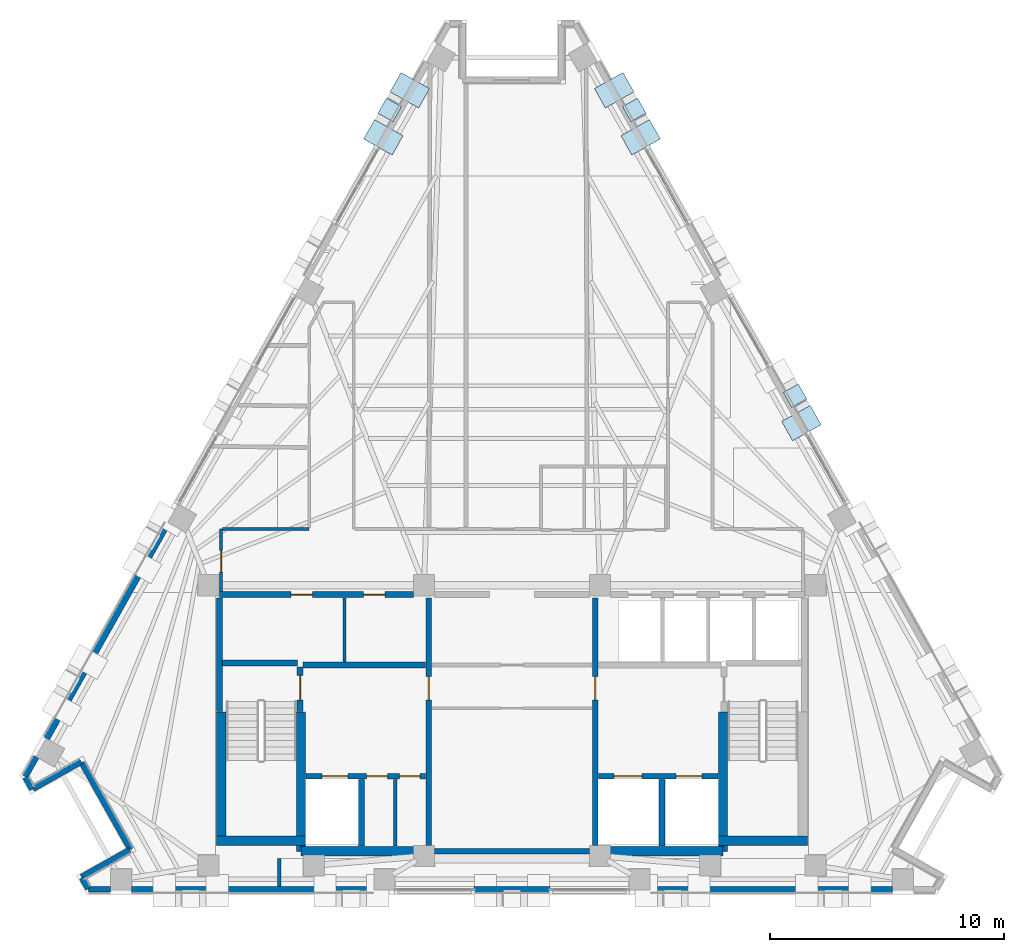
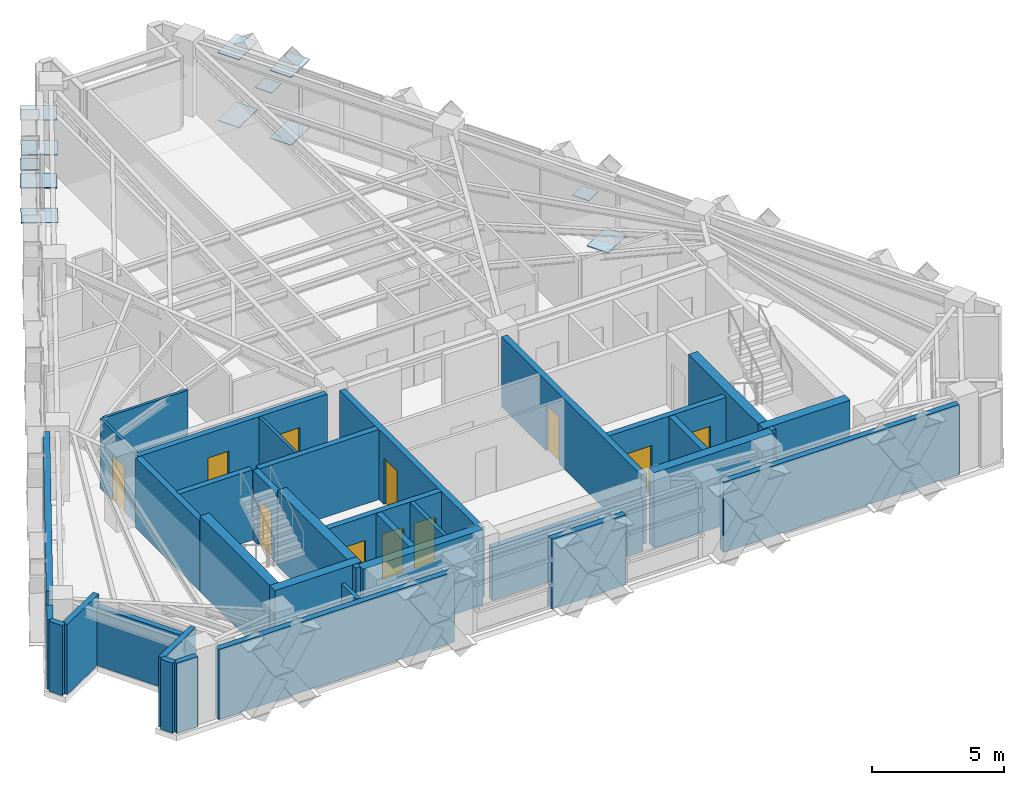
# One storey, part 7 of 12: 35 walls, 12 plates, 11 doors, 11 openings.
"""IFC4 building model written with IfcOpenShell, lengths in metres."""

from ifc_helpers import new_model, si_unit, direction, frame, frame_2d, origin, origin_2d, place, context, subcontext, project, spatial, rectangle, extrude, material, layer, layer_set, type_object, element, fill, save


model = new_model("IFC4")

# Units and contexts
model_context = context("Model", 3, precision=1e-05, world=origin(), true_north=direction((0.0, 1.0)))
body_context = subcontext(model_context, "Body", "Model", "MODEL_VIEW")
ifc_project = project(units=[si_unit("LENGTHUNIT", "METRE"), si_unit("AREAUNIT", "SQUARE_METRE"), si_unit("VOLUMEUNIT", "CUBIC_METRE"), si_unit("PLANEANGLEUNIT", "RADIAN"), si_unit("MASSUNIT", "GRAM", prefix="KILO")], contexts=[model_context])

# Site, building, storey
site_placement = place(None, origin())
site = spatial("IfcSite", under=ifc_project, at=site_placement, CompositionType="ELEMENT")
building_placement = place(site_placement, origin())
building = spatial("IfcBuilding", under=site, at=building_placement, Name="Quenlor Broadcast Tower", CompositionType="ELEMENT")
storey_placement = place(building_placement, frame((0.0, 0.0, 204.39990234375)))
storey = spatial("IfcBuildingStorey", under=building, at=storey_placement, Name="L56", CompositionType="ELEMENT", Elevation=204.39990234375)

# Plates
ifc_material_1 = material(Name="Steel S355", Category="steel")
ifc_layer_1 = layer(ifc_material_1, 0.028076171875)
ifc_layer_set_1 = layer_set([ifc_layer_1], Name="Perimeter Lattice Node Steel S355 Cap Plate 740x740x28")
plate_type_1 = type_object("IfcPlateType", Name="Perimeter Lattice Node Steel S355 Cap Plate 740x740x28", PredefinedType="USERDEFINED", material=ifc_layer_set_1)
for number, where, z_axis, x_axis, name in (
    (1, (5.21484375, 15.4755859375, 1.6162109375), (0.0, 0.0, 1.0), (0.490295412055, -0.871556314255, 0.0), "L56 Diamond Lattice Crossing Node NE-C1"),
    (2, (12.0732421875, 3.283447265625, 1.6162109375), (0.0, 0.0, 1.0), (0.490295412055, -0.871556314255, 0.0), "L56 Diamond Lattice Crossing Node NE-C3"),
    (3, (-5.21484375, 15.4755859375, 1.6162109375), (0.0, 0.0, 1.0), (0.490295412055, 0.871556314255, 0.0), "L56 Diamond Lattice Crossing Node NW-C5"),
):
    element("IfcPlate", number, at=place(storey_placement, frame(where, z_axis=z_axis, x_axis=x_axis)), inside=storey, type_object=plate_type_1, Name=name, ObjectType="CAP PLATE", PredefinedType="USERDEFINED", context=body_context, shape_type="SweptSolid", body=[
        extrude(rectangle(XDim=0.739990234375, YDim=0.739990234375, at=origin_2d()), origin(), (0.0, 0.0, 1.0), 0.028076171875),
    ])
ifc_material_2 = material(Name="Steel S355", Category="steel")
ifc_layer_2 = layer(ifc_material_2, 0.035888671875)
ifc_layer_set_2 = layer_set([ifc_layer_2], Name="Transfer Truss Steel S355 Gusset Node Plate 1400x950x36")
plate_type_2 = type_object("IfcPlateType", Name="Transfer Truss Steel S355 Gusset Node Plate 1400x950x36", PredefinedType="SHEET", material=ifc_layer_set_2)
for number, where, z_axis, x_axis, name in (
    (4, (4.3583984375, 16.315185546875, 0.0419921875), (0.0, 0.0, 1.0), (0.871556314255, 0.490295412055, 0.0), "L56 Lattice Tie Gusset Node NE-B1"),
    (5, (5.48779296875, 14.3076171875, 3.18212890625), (0.0, 0.0, 1.0), (0.871556314255, 0.490295412055, 0.0), "L56 Lattice Tie Gusset Node NE-T2"),
    (6, (5.48779296875, 14.3076171875, 0.0419921875), (0.0, 0.0, 1.0), (0.871556314255, 0.490295412055, 0.0), "L56 Lattice Tie Gusset Node NE-B2"),
    (7, (4.3583984375, 16.315185546875, 3.18212890625), (0.0, 0.0, 1.0), (0.871556314255, 0.490295412055, 0.0), "L56 Lattice Tie Gusset Node NE-T1"),
    (8, (12.345947265625, 2.115234375, 0.0419921875), (0.0, 0.0, 1.0), (0.871556314255, 0.490295412055, 0.0), "L56 Lattice Tie Gusset Node NE-B8"),
    (9, (-5.48779296875, 14.3076171875, 0.0419921875), (0.0, 0.0, 1.0), (-0.871556314255, 0.490295412055, 0.0), "L56 Lattice Tie Gusset Node NW-B13"),
    (10, (-4.3583984375, 16.315185546875, 3.18212890625), (0.0, 0.0, 1.0), (-0.871556314255, 0.490295412055, 0.0), "L56 Lattice Tie Gusset Node NW-T14"),
    (11, (-4.3583984375, 16.315185546875, 0.0419921875), (0.0, 0.0, 1.0), (-0.871556314255, 0.490295412055, 0.0), "L56 Lattice Tie Gusset Node NW-B14"),
    (12, (-5.48779296875, 14.3076171875, 3.18212890625), (0.0, 0.0, 1.0), (-0.871556314255, 0.490295412055, 0.0), "L56 Lattice Tie Gusset Node NW-T13"),
):
    element("IfcPlate", number, at=place(storey_placement, frame(where, z_axis=z_axis, x_axis=x_axis)), inside=storey, type_object=plate_type_2, Name=name, PredefinedType="SHEET", context=body_context, shape_type="SweptSolid", body=[
        extrude(rectangle(XDim=1.39990234375, YDim=0.949951171875, at=origin_2d()), origin(), (0.0, 0.0, 1.0), 0.035888671875),
    ])

# Walls
ifc_material_3 = material(Name="Concrete C50/60", Category="concrete")
ifc_layer_3 = layer(ifc_material_3, 0.39990234375)
ifc_layer_set_3 = layer_set([ifc_layer_3], Name="Core Concrete C50/60 Shear Wall 400")
wall_type_1 = type_object("IfcWallType", Name="Core Concrete C50/60 Shear Wall 400", PredefinedType="SHEAR", material=ifc_layer_set_3)
wall_1_placement = place(storey_placement, frame((-12.60009765625, -15.699951171875, 0.0), z_axis=(0.0, 0.0, 1.0), x_axis=(1.0, 0.0, 0.0)))
element("IfcWall", 13, at=wall_1_placement, inside=storey, type_object=wall_type_1, Name="L56 Core Shear Wall WS-W1", PredefinedType="SHEAR", context=body_context, shape_type="SweptSolid", body=[
    extrude(rectangle(XDim=3.800048828125, YDim=0.39990234375, at=frame_2d((1.89990234375, 0.0))), origin(), (0.0, 0.0, 1.0), 3.5),
])
for number, where, z_axis, x_axis, name in (
    (14, (-9.0, -16.14990234375, 0.0), (0.0, 0.0, 1.0), (1.0, 0.0, 0.0), "L56 Core Shear Wall WS-W2"),
    (15, (3.75, -16.14990234375, 0.0), (0.0, 0.0, 1.0), (1.0, 0.0, 0.0), "L56 Core Shear Wall WS-E1"),
):
    element("IfcWall", number, at=place(storey_placement, frame(where, z_axis=z_axis, x_axis=x_axis)), inside=storey, type_object=wall_type_1, Name=name, PredefinedType="SHEAR", context=body_context, shape_type="SweptSolid", body=[
        extrude(rectangle(XDim=5.25, YDim=0.39990234375, at=frame_2d((2.625, 0.0))), origin(), (0.0, 0.0, 1.0), 3.5),
    ])
wall_2_placement = place(storey_placement, frame((8.800048828125, -15.699951171875, 0.0), z_axis=(0.0, 0.0, 1.0), x_axis=(1.0, 0.0, 0.0)))
element("IfcWall", 16, at=wall_2_placement, inside=storey, type_object=wall_type_1, Name="L56 Core Shear Wall WS-E2", PredefinedType="SHEAR", context=body_context, shape_type="SweptSolid", body=[
    extrude(rectangle(XDim=3.800048828125, YDim=0.39990234375, at=frame_2d((1.89990234375, 0.0))), origin(), (0.0, 0.0, 1.0), 3.5),
])
wall_3_placement = place(storey_placement, frame((-12.39990234375, -15.699951171875, 0.0), z_axis=(0.0, 0.0, 1.0), x_axis=(0.0, 1.0, 0.0)))
element("IfcWall", 17, at=wall_3_placement, inside=storey, type_object=wall_type_1, Name="L56 Core Shear Wall WF-W", PredefinedType="SHEAR", context=body_context, shape_type="SweptSolid", body=[
    extrude(rectangle(XDim=5.5, YDim=0.39990234375, at=frame_2d((2.75, 0.0))), origin(), (0.0, 0.0, 1.0), 3.5),
])
for number, where, z_axis, x_axis, name in (
    (18, (-9.0, -16.14990234375, 0.0), (0.0, 0.0, 1.0), (0.0, 1.0, 0.0), "L56 Core Shear Wall WI-W"),
    (19, (9.0, -16.14990234375, 0.0), (0.0, 0.0, 1.0), (0.0, 1.0, 0.0), "L56 Core Shear Wall WI-E"),
):
    element("IfcWall", number, at=place(storey_placement, frame(where, z_axis=z_axis, x_axis=x_axis)), inside=storey, type_object=wall_type_1, Name=name, PredefinedType="SHEAR", context=body_context, shape_type="SweptSolid", body=[
        extrude(rectangle(XDim=5.949951171875, YDim=0.39990234375, at=frame_2d((2.97509765625, 0.0))), origin(), (0.0, 0.0, 1.0), 3.5),
    ])

# Wall, opening, door
ifc_material_4 = material(Name="Concrete C40/50", Category="concrete")
ifc_layer_4 = layer(ifc_material_4, 0.25)
ifc_layer_set_4 = layer_set([ifc_layer_4], Name="Fire Rated Concrete C40/50 Core Wall 250")
wall_type_2 = type_object("IfcWallType", Name="Fire Rated Concrete C40/50 Core Wall 250", PredefinedType="PARTITIONING", material=ifc_layer_set_4)
wall_4_placement = place(storey_placement, frame((-9.0400390625, -10.179931640625, 0.0), z_axis=(0.0, 0.0, 1.0), x_axis=(0.0, 1.0, 0.0)))
wall_4 = element("IfcWall", 20, at=wall_4_placement, inside=storey, type_object=wall_type_2, Name="L56 Interior Wall CW-ST1-DR", PredefinedType="PARTITIONING", context=body_context, shape_type="SweptSolid", body=[
    extrude(rectangle(XDim=1.89990234375, YDim=0.25, at=frame_2d((0.949951171875, 0.0))), origin(), (0.0, 0.0, 1.0), 3.25),
])
opening_1_placement = place(wall_4_placement, frame((0.47998046875, 0.0, 0.0)))
opening_1 = element("IfcOpeningElement", 21, at=opening_1_placement, cuts=wall_4, Name="Opening FD-1", PredefinedType="OPENING", context=body_context, shape_type="SweptSolid", body=[
    extrude(rectangle(XDim=1.050048828125, YDim=2.14990234375, at=frame_2d((0.52490234375, 1.074951171875))), frame((0.0, 0.135009765625, 0.0), z_axis=(0.0, -1.0, 0.0), x_axis=(1.0, 0.0, 0.0)), (0.0, 0.0, 1.0), 0.27001953125),
])
ifc_material_5 = material(Name="Fire Rated Steel Door Leaf", Category="steel")
door_type_1 = type_object("IfcDoorType", Name="Fire Isolated Stair Door 1050x2150", OperationType="NOTDEFINED", PredefinedType="DOOR", material=ifc_material_5)
door_1_placement = place(opening_1_placement, origin())
door_1 = element("IfcDoor", 22, at=door_1_placement, inside=storey, type_object=door_type_1, Name="L56 Door DR-ST1", OperationType="SINGLE_SWING_LEFT", OverallHeight=2.14990234375, OverallWidth=1.050048828125, PredefinedType="DOOR", context=body_context, shape_type="SweptSolid", body=[
    extrude(rectangle(XDim=1.050048828125, YDim=2.14990234375, at=frame_2d((0.52490234375, 1.074951171875))), frame((0.0, 0.02490234375, 0.0), z_axis=(0.0, -1.0, 0.0), x_axis=(1.0, 0.0, 0.0)), (0.0, 0.0, 1.0), 0.050048828125),
])
fill(opening_1, door_1)

# Walls
wall_5_placement = place(storey_placement, frame((-12.3798828125, -8.1201171875, 0.0), z_axis=(0.0, 0.0, 1.0), x_axis=(1.0, 0.0, 0.0)))
element("IfcWall", 23, at=wall_5_placement, inside=storey, type_object=wall_type_2, Name="L56 Interior Wall CW-ST1-N", PredefinedType="PARTITIONING", context=body_context, shape_type="SweptSolid", body=[
    extrude(rectangle(XDim=3.219970703125, YDim=0.25, at=frame_2d((1.60986328125, 0.0))), origin(), (0.0, 0.0, 1.0), 3.25),
])
wall_6_placement = place(storey_placement, frame((-12.47998046875, -10.179931640625, 0.0), z_axis=(0.0, 0.0, 1.0), x_axis=(0.0, 1.0, 0.0)))
element("IfcWall", 24, at=wall_6_placement, inside=storey, type_object=wall_type_2, Name="L56 Interior Wall CW-ST1-W2", PredefinedType="PARTITIONING", context=body_context, shape_type="SweptSolid", body=[
    extrude(rectangle(XDim=4.83984375, YDim=0.25, at=frame_2d((2.419921875, 0.0))), origin(), (0.0, 0.0, 1.0), 3.25),
])

# Wall, openings, doors
wall_7_placement = place(storey_placement, frame((-8.798095703125, -12.949951171875, 0.0), z_axis=(0.0, 0.0, 1.0), x_axis=(1.0, 0.0, 0.0)))
wall_7 = element("IfcWall", 25, at=wall_7_placement, inside=storey, type_object=wall_type_2, Name="L56 Interior Wall CW-FFW-S", PredefinedType="PARTITIONING", context=body_context, shape_type="SweptSolid", body=[
    extrude(rectangle(XDim=5.1181640625, YDim=0.25, at=frame_2d((2.55908203125, 0.0))), origin(), (0.0, 0.0, 1.0), 3.25),
])
opening_2_placement = place(wall_7_placement, frame((0.697998046875, 0.0, 0.0)))
opening_2 = element("IfcOpeningElement", 26, at=opening_2_placement, cuts=wall_7, Name="Opening LD-FFL-1", PredefinedType="OPENING", context=body_context, shape_type="SweptSolid", body=[
    extrude(rectangle(XDim=1.10009765625, YDim=2.14990234375, at=frame_2d((0.550048828125, 1.074951171875))), frame((0.0, 0.135009765625, 0.0), z_axis=(0.0, -1.0, 0.0), x_axis=(1.0, 0.0, 0.0)), (0.0, 0.0, 1.0), 0.27001953125),
])
opening_3_placement = place(wall_7_placement, frame((2.597900390625, 0.0, 0.0)))
opening_3 = element("IfcOpeningElement", 27, at=opening_3_placement, cuts=wall_7, Name="Opening TD-1", PredefinedType="OPENING", context=body_context, shape_type="SweptSolid", body=[
    extrude(rectangle(XDim=0.8798828125, YDim=2.10009765625, at=frame_2d((0.43994140625, 1.050048828125))), frame((0.0, 0.135009765625, 0.0), z_axis=(0.0, -1.0, 0.0), x_axis=(1.0, 0.0, 0.0)), (0.0, 0.0, 1.0), 0.27001953125),
])
opening_4_placement = place(wall_7_placement, frame((3.998046875, 0.0, 0.0)))
opening_4 = element("IfcOpeningElement", 28, at=opening_4_placement, cuts=wall_7, Name="Opening TD-1", PredefinedType="OPENING", context=body_context, shape_type="SweptSolid", body=[
    extrude(rectangle(XDim=0.8798828125, YDim=2.10009765625, at=frame_2d((0.43994140625, 1.050048828125))), frame((0.0, 0.135009765625, 0.0), z_axis=(0.0, -1.0, 0.0), x_axis=(1.0, 0.0, 0.0)), (0.0, 0.0, 1.0), 0.27001953125),
])
ifc_material_6 = material(Name="Brushed Stainless Steel", Category="steel")
door_type_2 = type_object("IfcDoorType", Name="Emergency Lift Sliding Landing Door 1100x2150", OperationType="NOTDEFINED", PredefinedType="DOOR", material=ifc_material_6)
door_2_placement = place(opening_2_placement, origin())
door_2 = element("IfcDoor", 29, at=door_2_placement, inside=storey, type_object=door_type_2, Name="L56 Door LD-FFL-1", OperationType="SLIDING_TO_LEFT", OverallHeight=2.14990234375, OverallWidth=1.10009765625, PredefinedType="DOOR", context=body_context, shape_type="SweptSolid", body=[
    extrude(rectangle(XDim=1.10009765625, YDim=2.14990234375, at=frame_2d((0.550048828125, 1.074951171875))), frame((0.0, 0.02490234375, 0.0), z_axis=(0.0, -1.0, 0.0), x_axis=(1.0, 0.0, 0.0)), (0.0, 0.0, 1.0), 0.050048828125),
])
fill(opening_2, door_2)
ifc_material_7 = material(Name="Fire Rated Steel Access Panel", Category="steel")
door_type_3 = type_object("IfcDoorType", Name="Riser Shaft Rated Access Trapdoor 880x2100", OperationType="NOTDEFINED", PredefinedType="TRAPDOOR", material=ifc_material_7)
door_3_placement = place(opening_3_placement, origin())
door_3 = element("IfcDoor", 30, at=door_3_placement, inside=storey, type_object=door_type_3, Name="L56 Door DR-ELR", OperationType="SINGLE_SWING_LEFT", OverallHeight=2.10009765625, OverallWidth=0.8798828125, PredefinedType="TRAPDOOR", context=body_context, shape_type="SweptSolid", body=[
    extrude(rectangle(XDim=0.8798828125, YDim=2.10009765625, at=frame_2d((0.43994140625, 1.050048828125))), frame((0.0, 0.02490234375, 0.0), z_axis=(0.0, -1.0, 0.0), x_axis=(1.0, 0.0, 0.0)), (0.0, 0.0, 1.0), 0.050048828125),
])
fill(opening_3, door_3)
door_4_placement = place(opening_4_placement, origin())
door_4 = element("IfcDoor", 31, at=door_4_placement, inside=storey, type_object=door_type_3, Name="L56 Door DR-CMR", OperationType="SINGLE_SWING_RIGHT", OverallHeight=2.10009765625, OverallWidth=0.8798828125, PredefinedType="TRAPDOOR", context=body_context, shape_type="SweptSolid", body=[
    extrude(rectangle(XDim=0.8798828125, YDim=2.10009765625, at=frame_2d((0.43994140625, 1.050048828125))), frame((0.0, 0.02490234375, 0.0), z_axis=(0.0, -1.0, 0.0), x_axis=(1.0, 0.0, 0.0)), (0.0, 0.0, 1.0), 0.050048828125),
])
fill(opening_4, door_4)

wall_8_placement = place(storey_placement, frame((3.679931640625, -12.949951171875, 0.0), z_axis=(0.0, 0.0, 1.0), x_axis=(1.0, 0.0, 0.0)))
wall_8 = element("IfcWall", 32, at=wall_8_placement, inside=storey, type_object=wall_type_2, Name="L56 Interior Wall CW-FFE-S", PredefinedType="PARTITIONING", context=body_context, shape_type="SweptSolid", body=[
    extrude(rectangle(XDim=5.1181640625, YDim=0.25, at=frame_2d((2.55908203125, 0.0))), origin(), (0.0, 0.0, 1.0), 3.25),
])
opening_5_placement = place(wall_8_placement, frame((3.320068359375, 0.0, 0.0)))
opening_5 = element("IfcOpeningElement", 33, at=opening_5_placement, cuts=wall_8, Name="Opening LD-FFL-2", PredefinedType="OPENING", context=body_context, shape_type="SweptSolid", body=[
    extrude(rectangle(XDim=1.10009765625, YDim=2.14990234375, at=frame_2d((0.550048828125, 1.074951171875))), frame((0.0, 0.135009765625, 0.0), z_axis=(0.0, -1.0, 0.0), x_axis=(1.0, 0.0, 0.0)), (0.0, 0.0, 1.0), 0.27001953125),
])
opening_6_placement = place(wall_8_placement, frame((0.669921875, 0.0, 0.0)))
opening_6 = element("IfcOpeningElement", 34, at=opening_6_placement, cuts=wall_8, Name="Opening LD-SVL-1", PredefinedType="OPENING", context=body_context, shape_type="SweptSolid", body=[
    extrude(rectangle(XDim=1.199951171875, YDim=2.14990234375, at=frame_2d((0.60009765625, 1.074951171875))), frame((0.0, 0.135009765625, 0.0), z_axis=(0.0, -1.0, 0.0), x_axis=(1.0, 0.0, 0.0)), (0.0, 0.0, 1.0), 0.27001953125),
])
door_5_placement = place(opening_5_placement, origin())
door_5 = element("IfcDoor", 35, at=door_5_placement, inside=storey, type_object=door_type_2, Name="L56 Door LD-FFL-2", OperationType="SLIDING_TO_RIGHT", OverallHeight=2.14990234375, OverallWidth=1.10009765625, PredefinedType="DOOR", context=body_context, shape_type="SweptSolid", body=[
    extrude(rectangle(XDim=1.10009765625, YDim=2.14990234375, at=frame_2d((0.550048828125, 1.074951171875))), frame((0.0, 0.02490234375, 0.0), z_axis=(0.0, -1.0, 0.0), x_axis=(1.0, 0.0, 0.0)), (0.0, 0.0, 1.0), 0.050048828125),
])
fill(opening_5, door_5)
ifc_material_8 = material(Name="Brushed Stainless Steel", Category="steel")
door_type_4 = type_object("IfcDoorType", Name="Goods Lift Sliding Landing Door 1200x2150", OperationType="NOTDEFINED", PredefinedType="DOOR", material=ifc_material_8)
door_6_placement = place(opening_6_placement, origin())
door_6 = element("IfcDoor", 36, at=door_6_placement, inside=storey, type_object=door_type_4, Name="L56 Door LD-SVL-1", OperationType="SLIDING_TO_LEFT", OverallHeight=2.14990234375, OverallWidth=1.199951171875, PredefinedType="DOOR", context=body_context, shape_type="SweptSolid", body=[
    extrude(rectangle(XDim=1.199951171875, YDim=2.14990234375, at=frame_2d((0.60009765625, 1.074951171875))), frame((0.0, 0.02490234375, 0.0), z_axis=(0.0, -1.0, 0.0), x_axis=(1.0, 0.0, 0.0)), (0.0, 0.0, 1.0), 0.050048828125),
])
fill(opening_6, door_6)

# Walls
for number, where, z_axis, x_axis, name in (
    (37, (-6.419921875, -15.919921875, 0.0), (0.0, 0.0, 1.0), (0.0, 1.0, 0.0), "L56 Interior Wall CW-FF1-E"),
    (38, (6.39990234375, -15.919921875, 0.0), (0.0, 0.0, 1.0), (0.0, 1.0, 0.0), "L56 Interior Wall CW-SV1-E"),
):
    element("IfcWall", number, at=place(storey_placement, frame(where, z_axis=z_axis, x_axis=x_axis)), inside=storey, type_object=wall_type_2, Name=name, PredefinedType="PARTITIONING", context=body_context, shape_type="SweptSolid", body=[
        extrude(rectangle(XDim=2.829833984375, YDim=0.25, at=frame_2d((1.4150390625, 0.0))), origin(), (0.0, 0.0, 1.0), 3.25),
    ])
wall_9_placement = place(storey_placement, frame((-8.919921875, -8.199951171875, 0.0), z_axis=(0.0, 0.0, 1.0), x_axis=(1.0, 0.0, 0.0)))
element("IfcWall", 39, at=wall_9_placement, inside=storey, type_object=wall_type_2, Name="L56 Interior Wall CW-FFW-N", PredefinedType="PARTITIONING", context=body_context, shape_type="SweptSolid", body=[
    extrude(rectangle(XDim=5.239990234375, YDim=0.25, at=frame_2d((2.6201171875, 0.0))), origin(), (0.0, 0.0, 1.0), 3.25),
])

# Wall, opening, door
wall_10_placement = place(storey_placement, frame((-3.550048828125, -15.89794921875, 0.0), z_axis=(0.0, 0.0, 1.0), x_axis=(0.0, 1.0, 0.0)))
wall_10 = element("IfcWall", 40, at=wall_10_placement, inside=storey, type_object=wall_type_2, Name="L56 Interior Wall CW-FFW-E", PredefinedType="PARTITIONING", context=body_context, shape_type="SweptSolid", body=[
    extrude(rectangle(XDim=10.557861328125, YDim=0.25, at=frame_2d((5.27880859375, 0.0))), origin(), (0.0, 0.0, 1.0), 3.25),
])
opening_7_placement = place(wall_10_placement, frame((6.197998046875, 0.0, 0.0)))
opening_7 = element("IfcOpeningElement", 41, at=opening_7_placement, cuts=wall_10, Name="Opening FD-2", PredefinedType="OPENING", context=body_context, shape_type="SweptSolid", body=[
    extrude(rectangle(XDim=1.0, YDim=2.14990234375, at=frame_2d((0.5, 1.074951171875))), frame((0.0, 0.135009765625, 0.0), z_axis=(0.0, -1.0, 0.0), x_axis=(1.0, 0.0, 0.0)), (0.0, 0.0, 1.0), 0.27001953125),
])
ifc_material_9 = material(Name="Fire Rated Glazed Steel Door", Category="steel")
door_type_5 = type_object("IfcDoorType", Name="Firefighting Lobby Smoke Door 1000x2150", OperationType="NOTDEFINED", PredefinedType="DOOR", material=ifc_material_9)
door_7_placement = place(opening_7_placement, origin())
door_7 = element("IfcDoor", 42, at=door_7_placement, inside=storey, type_object=door_type_5, Name="L56 Door DR-FFLW", OperationType="SINGLE_SWING_RIGHT", OverallHeight=2.14990234375, OverallWidth=1.0, PredefinedType="DOOR", context=body_context, shape_type="SweptSolid", body=[
    extrude(rectangle(XDim=1.0, YDim=2.14990234375, at=frame_2d((0.5, 1.074951171875))), frame((0.0, 0.02490234375, 0.0), z_axis=(0.0, -1.0, 0.0), x_axis=(1.0, 0.0, 0.0)), (0.0, 0.0, 1.0), 0.050048828125),
])
fill(opening_7, door_7)

wall_11_placement = place(storey_placement, frame((3.550048828125, -15.89794921875, 0.0), z_axis=(0.0, 0.0, 1.0), x_axis=(0.0, 1.0, 0.0)))
wall_11 = element("IfcWall", 43, at=wall_11_placement, inside=storey, type_object=wall_type_2, Name="L56 Interior Wall CW-FFE-W", PredefinedType="PARTITIONING", context=body_context, shape_type="SweptSolid", body=[
    extrude(rectangle(XDim=10.557861328125, YDim=0.25, at=frame_2d((5.27880859375, 0.0))), origin(), (0.0, 0.0, 1.0), 3.25),
])
opening_8_placement = place(wall_11_placement, frame((6.197998046875, 0.0, 0.0)))
opening_8 = element("IfcOpeningElement", 44, at=opening_8_placement, cuts=wall_11, Name="Opening FD-2", PredefinedType="OPENING", context=body_context, shape_type="SweptSolid", body=[
    extrude(rectangle(XDim=1.0, YDim=2.14990234375, at=frame_2d((0.5, 1.074951171875))), frame((0.0, 0.135009765625, 0.0), z_axis=(0.0, -1.0, 0.0), x_axis=(1.0, 0.0, 0.0)), (0.0, 0.0, 1.0), 0.27001953125),
])
door_8_placement = place(opening_8_placement, origin())
door_8 = element("IfcDoor", 45, at=door_8_placement, inside=storey, type_object=door_type_5, Name="L56 Door DR-FFLE", OperationType="SINGLE_SWING_LEFT", OverallHeight=2.14990234375, OverallWidth=1.0, PredefinedType="DOOR", context=body_context, shape_type="SweptSolid", body=[
    extrude(rectangle(XDim=1.0, YDim=2.14990234375, at=frame_2d((0.5, 1.074951171875))), frame((0.0, 0.02490234375, 0.0), z_axis=(0.0, -1.0, 0.0), x_axis=(1.0, 0.0, 0.0)), (0.0, 0.0, 1.0), 0.050048828125),
])
fill(opening_8, door_8)

# Wall, openings, doors
wall_12_placement = place(storey_placement, frame((-12.47998046875, -5.199951171875, 0.0), z_axis=(0.0, 0.0, 1.0), x_axis=(1.0, 0.0, 0.0)))
wall_12 = element("IfcWall", 46, at=wall_12_placement, inside=storey, type_object=wall_type_2, Name="L56 Interior Wall CW-N-W", PredefinedType="PARTITIONING", context=body_context, shape_type="SweptSolid", body=[
    extrude(rectangle(XDim=8.278076171875, YDim=0.25, at=frame_2d((4.13916015625, 0.0))), origin(), (0.0, 0.0, 1.0), 3.25),
])
opening_9_placement = place(wall_12_placement, frame((3.050048828125, 0.0, 0.0)))
opening_9 = element("IfcOpeningElement", 47, at=opening_9_placement, cuts=wall_12, Name="Opening ID-1", PredefinedType="OPENING", context=body_context, shape_type="SweptSolid", body=[
    extrude(rectangle(XDim=0.919921875, YDim=2.1201171875, at=frame_2d((0.4599609375, 1.06005859375))), frame((0.0, 0.135009765625, 0.0), z_axis=(0.0, -1.0, 0.0), x_axis=(1.0, 0.0, 0.0)), (0.0, 0.0, 1.0), 0.27001953125),
])
opening_10_placement = place(wall_12_placement, frame((6.14990234375, 0.0, 0.0)))
opening_10 = element("IfcOpeningElement", 48, at=opening_10_placement, cuts=wall_12, Name="Opening ID-1", PredefinedType="OPENING", context=body_context, shape_type="SweptSolid", body=[
    extrude(rectangle(XDim=0.919921875, YDim=2.1201171875, at=frame_2d((0.4599609375, 1.06005859375))), frame((0.0, 0.135009765625, 0.0), z_axis=(0.0, -1.0, 0.0), x_axis=(1.0, 0.0, 0.0)), (0.0, 0.0, 1.0), 0.27001953125),
])
ifc_material_10 = material(Name="Solid Core Timber Oak", Category="wood")
door_type_6 = type_object("IfcDoorType", Name="Single Leaf Timber Office Door 920x2120", OperationType="NOTDEFINED", PredefinedType="DOOR", material=ifc_material_10)
door_9_placement = place(opening_9_placement, origin())
door_9 = element("IfcDoor", 49, at=door_9_placement, inside=storey, type_object=door_type_6, Name="L56 Door DR-RCL1", OperationType="SINGLE_SWING_LEFT", OverallHeight=2.1201171875, OverallWidth=0.919921875, PredefinedType="DOOR", context=body_context, shape_type="SweptSolid", body=[
    extrude(rectangle(XDim=0.919921875, YDim=2.1201171875, at=frame_2d((0.4599609375, 1.06005859375))), frame((0.0, 0.02490234375, 0.0), z_axis=(0.0, -1.0, 0.0), x_axis=(1.0, 0.0, 0.0)), (0.0, 0.0, 1.0), 0.050048828125),
])
fill(opening_9, door_9)
door_10_placement = place(opening_10_placement, origin())
door_10 = element("IfcDoor", 50, at=door_10_placement, inside=storey, type_object=door_type_6, Name="L56 Door DR-RCL2", OperationType="SINGLE_SWING_RIGHT", OverallHeight=2.1201171875, OverallWidth=0.919921875, PredefinedType="DOOR", context=body_context, shape_type="SweptSolid", body=[
    extrude(rectangle(XDim=0.919921875, YDim=2.1201171875, at=frame_2d((0.4599609375, 1.06005859375))), frame((0.0, 0.02490234375, 0.0), z_axis=(0.0, -1.0, 0.0), x_axis=(1.0, 0.0, 0.0)), (0.0, 0.0, 1.0), 0.050048828125),
])
fill(opening_10, door_10)

# Walls
wall_13_placement = place(storey_placement, frame((-3.298095703125, -16.14990234375, 0.0), z_axis=(0.0, 0.0, 1.0), x_axis=(1.0, 0.0, 0.0)))
element("IfcWall", 51, at=wall_13_placement, inside=storey, type_object=wall_type_2, Name="L56 Interior Wall CW-MS-S", PredefinedType="PARTITIONING", context=body_context, shape_type="SweptSolid", body=[
    extrude(rectangle(XDim=6.59619140625, YDim=0.25, at=frame_2d((3.298095703125, 0.0))), origin(), (0.0, 0.0, 1.0), 2.4501953125),
])
ifc_material_11 = material(Name="Gypsum Fireboard Partition", Category="other")
ifc_layer_5 = layer(ifc_material_11, 0.159912109375)
ifc_layer_set_5 = layer_set([ifc_layer_5], Name="Fire Rated Shaft and Corridor Partition 160")
wall_type_3 = type_object("IfcWallType", Name="Fire Rated Shaft and Corridor Partition 160", PredefinedType="PARTITIONING", material=ifc_layer_set_5)
wall_14_placement = place(storey_placement, frame((-4.97998046875, -15.919921875, 0.0), z_axis=(0.0, 0.0, 1.0), x_axis=(0.0, 1.0, 0.0)))
element("IfcWall", 52, at=wall_14_placement, inside=storey, type_object=wall_type_3, Name="L56 Interior Wall CW-ELR-E", PredefinedType="PARTITIONING", context=body_context, shape_type="SweptSolid", body=[
    extrude(rectangle(XDim=2.829833984375, YDim=0.159912109375, at=frame_2d((1.4150390625, 0.0))), origin(), (0.0, 0.0, 1.0), 3.25),
])
wall_15_placement = place(storey_placement, frame((-9.93359375, -16.449951171875, 0.0), z_axis=(0.0, 0.0, 1.0), x_axis=(0.0, -1.0, 0.0)))
element("IfcWall", 53, at=wall_15_placement, inside=storey, type_object=wall_type_3, Name="L56 Interior Wall PW-DV-07", PredefinedType="PARTITIONING", context=body_context, shape_type="SweptSolid", body=[
    extrude(rectangle(XDim=1.193115234375, YDim=0.159912109375, at=frame_2d((0.5966796875, 0.0))), origin(), (0.0, 0.0, 1.0), 3.25),
])
ifc_material_12 = material(Name="Gypsum Plasterboard Partition", Category="other")
ifc_layer_6 = layer(ifc_material_12, 0.1201171875)
ifc_layer_set_6 = layer_set([ifc_layer_6], Name="Standard Office Partition 120")
wall_type_4 = type_object("IfcWallType", Name="Standard Office Partition 120", PredefinedType="PARTITIONING", material=ifc_layer_set_6)
wall_16_placement = place(storey_placement, frame((-7.14990234375, -8.072998046875, 0.0), z_axis=(0.0, 0.0, 1.0), x_axis=(0.0, 1.0, 0.0)))
element("IfcWall", 54, at=wall_16_placement, inside=storey, type_object=wall_type_4, Name="L56 Interior Wall CW-RCL-MID", PredefinedType="PARTITIONING", context=body_context, shape_type="SweptSolid", body=[
    extrude(rectangle(XDim=2.73291015625, YDim=0.1201171875, at=frame_2d((1.366455078125, 0.0))), origin(), (0.0, 0.0, 1.0), 3.25),
])

# Wall, opening, door
wall_17_placement = place(storey_placement, frame((-12.409912109375, -5.072998046875, 0.0), z_axis=(0.0, 0.0, 1.0), x_axis=(0.0, 1.0, 0.0)))
wall_17 = element("IfcWall", 55, at=wall_17_placement, inside=storey, type_object=wall_type_4, Name="L56 Interior Wall PW-CR-01", PredefinedType="PARTITIONING", context=body_context, shape_type="SweptSolid", body=[
    extrude(rectangle(XDim=2.673095703125, YDim=0.1201171875, at=frame_2d((1.33642578125, 0.0))), origin(), (0.0, 0.0, 1.0), 3.25),
])
opening_11_placement = place(wall_17_placement, frame((0.827880859375, 0.0, 0.0)))
opening_11 = element("IfcOpeningElement", 56, at=opening_11_placement, cuts=wall_17, Name="Opening ID-1", PredefinedType="OPENING", context=body_context, shape_type="SweptSolid", body=[
    extrude(rectangle(XDim=0.919921875, YDim=2.1201171875, at=frame_2d((0.4599609375, 1.06005859375))), frame((0.0, 0.070068359375, 0.0), z_axis=(0.0, -1.0, 0.0), x_axis=(1.0, 0.0, 0.0)), (0.0, 0.0, 1.0), 0.14013671875),
])
door_11_placement = place(opening_11_placement, origin())
door_11 = element("IfcDoor", 57, at=door_11_placement, inside=storey, type_object=door_type_6, Name="L56 Door DR-RM07", OperationType="SINGLE_SWING_RIGHT", OverallHeight=2.1201171875, OverallWidth=0.919921875, PredefinedType="DOOR", context=body_context, shape_type="SweptSolid", body=[
    extrude(rectangle(XDim=0.919921875, YDim=2.1201171875, at=frame_2d((0.4599609375, 1.06005859375))), frame((0.0, 0.02490234375, 0.0), z_axis=(0.0, -1.0, 0.0), x_axis=(1.0, 0.0, 0.0)), (0.0, 0.0, 1.0), 0.050048828125),
])
fill(opening_11, door_11)

# Walls
wall_18_placement = place(storey_placement, frame((-12.347900390625, -2.39990234375, 0.0), z_axis=(0.0, 0.0, 1.0), x_axis=(1.0, 0.0, 0.0)))
element("IfcWall", 58, at=wall_18_placement, inside=storey, type_object=wall_type_4, Name="L56 Interior Wall PW-CR-02", PredefinedType="PARTITIONING", context=body_context, shape_type="SweptSolid", body=[
    extrude(rectangle(XDim=3.697998046875, YDim=0.1201171875, at=frame_2d((1.84912109375, 0.0))), origin(), (0.0, 0.0, 1.0), 3.25),
])
ifc_material_13 = material(Name="Precast concrete C40/50", Category="concrete")
ifc_layer_7 = layer(ifc_material_13, 0.239990234375)
ifc_layer_set_7 = layer_set([ifc_layer_7], Name="Terrace Threshold Precast Concrete C40/50 Wall 240")
wall_type_5 = type_object("IfcWallType", Name="Terrace Threshold Precast Concrete C40/50 Wall 240", PredefinedType="STANDARD", material=ifc_layer_set_7)
wall_19_placement = place(storey_placement, frame((-17.130859375, -17.77490234375, 0.0), z_axis=(0.0, 0.0, 1.0), x_axis=(-1.0, 0.0, 0.0)))
element("IfcWall", 59, at=wall_19_placement, inside=storey, type_object=wall_type_5, Name="L56 Exterior Wall L56-SHD-SS1", PredefinedType="STANDARD", context=body_context, shape_type="SweptSolid", body=[
    extrude(rectangle(XDim=0.93505859375, YDim=0.239990234375, at=frame_2d((0.467529296875, 0.0))), origin(), (0.0, 0.0, 1.0), 3.25),
])
wall_20_placement = place(storey_placement, frame((-20.762451171875, -12.969970703125, 0.0), z_axis=(0.0, 0.0, 1.0), x_axis=(0.490345412687, 0.87152818443, 0.0)))
element("IfcWall", 60, at=wall_20_placement, inside=storey, type_object=wall_type_5, Name="L56 Exterior Wall L56-SHD-NWS0", PredefinedType="STANDARD", context=body_context, shape_type="SweptSolid", body=[
    extrude(rectangle(XDim=0.9638671875, YDim=0.239990234375, at=frame_2d((0.48193359375, 0.0))), origin(), (0.0, 0.0, 1.0), 3.25),
])
wall_21_placement = place(storey_placement, frame((-20.75537109375, -12.999267578125, 0.0), z_axis=(0.0, 0.0, 1.0), x_axis=(0.490320776404, -0.871542045014, 0.0)))
element("IfcWall", 61, at=wall_21_placement, inside=storey, type_object=wall_type_5, Name="L56 Exterior Wall L56-CNR-12", PredefinedType="STANDARD", context=body_context, shape_type="SweptSolid", body=[
    extrude(rectangle(XDim=0.583984375, YDim=0.239990234375, at=frame_2d((0.2919921875, 0.0))), origin(), (0.0, 0.0, 1.0), 3.25),
])
wall_22_placement = place(storey_placement, frame((-20.43408203125, -13.488525390625, 0.0), z_axis=(0.0, 0.0, 1.0), x_axis=(0.871578299909, 0.490256327984, 0.0)))
element("IfcWall", 62, at=wall_22_placement, inside=storey, type_object=wall_type_5, Name="L56 Exterior Wall L56-CNR-13", PredefinedType="STANDARD", context=body_context, shape_type="SweptSolid", body=[
    extrude(rectangle(XDim=2.35986328125, YDim=0.239990234375, at=frame_2d((1.179931640625, 0.0))), origin(), (0.0, 0.0, 1.0), 3.25),
])
wall_23_placement = place(storey_placement, frame((-18.357666015625, -12.366455078125, 0.0), z_axis=(0.0, 0.0, 1.0), x_axis=(0.49027487746, -0.871567865706, 0.0)))
element("IfcWall", 63, at=wall_23_placement, inside=storey, type_object=wall_type_5, Name="L56 Exterior Wall L56-CNR-14", PredefinedType="STANDARD", context=body_context, shape_type="SweptSolid", body=[
    extrude(rectangle(XDim=4.249755859375, YDim=0.239990234375, at=frame_2d((2.125, 0.0))), origin(), (0.0, 0.0, 1.0), 2.721923828125),
])
wall_24_placement = place(storey_placement, frame((-16.30908203125, -16.08984375, 0.0), z_axis=(0.0, 0.0, 1.0), x_axis=(-0.871578299909, -0.490256327984, 0.0)))
element("IfcWall", 64, at=wall_24_placement, inside=storey, type_object=wall_type_5, Name="L56 Exterior Wall L56-CNR-15", PredefinedType="STANDARD", context=body_context, shape_type="SweptSolid", body=[
    extrude(rectangle(XDim=2.35986328125, YDim=0.239990234375, at=frame_2d((1.179931640625, 0.0))), origin(), (0.0, 0.0, 1.0), 3.25),
])
wall_25_placement = place(storey_placement, frame((-18.346435546875, -17.28173828125, 0.0), z_axis=(0.0, 0.0, 1.0), x_axis=(0.49038986747, -0.87150317147, 0.0)))
element("IfcWall", 65, at=wall_25_placement, inside=storey, type_object=wall_type_5, Name="L56 Exterior Wall L56-CNR-16", PredefinedType="STANDARD", context=body_context, shape_type="SweptSolid", body=[
    extrude(rectangle(XDim=0.540771484375, YDim=0.239990234375, at=frame_2d((0.2705078125, 0.0))), origin(), (0.0, 0.0, 1.0), 3.25),
])
ifc_material_14 = material(Name="Precast concrete C40/50", Category="concrete")
ifc_layer_8 = layer(ifc_material_14, 0.260009765625)
ifc_layer_set_8 = layer_set([ifc_layer_8], Name="Terracotta Precast Concrete C40/50 Upper Wall 260")
wall_type_6 = type_object("IfcWallType", Name="Terracotta Precast Concrete C40/50 Upper Wall 260", PredefinedType="STANDARD", material=ifc_layer_set_8)
for number, where, z_axis, x_axis, name in (
    (66, (16.220947265625, -17.77490234375, 0.0), (0.0, 0.0, 1.0), (-1.0, 0.0, 0.0), "L56 Exterior Wall L56-EW-SA"),
    (67, (-5.892822265625, -17.77490234375, 0.0), (0.0, 0.0, 1.0), (-1.0, 0.0, 0.0), "L56 Exterior Wall L56-EW-SC"),
):
    element("IfcWall", number, at=place(storey_placement, frame(where, z_axis=z_axis, x_axis=x_axis)), inside=storey, type_object=wall_type_6, Name=name, PredefinedType="STANDARD", context=body_context, shape_type="SweptSolid", body=[
        extrude(rectangle(XDim=10.328125, YDim=0.260009765625, at=frame_2d((5.1640625, 0.0))), origin(), (0.0, 0.0, 1.0), 3.25),
    ])
wall_26_placement = place(storey_placement, frame((1.62109375, -17.77490234375, 0.0), z_axis=(0.0, 0.0, 1.0), x_axis=(-1.0, 0.0, 0.0)))
element("IfcWall", 68, at=wall_26_placement, inside=storey, type_object=wall_type_6, Name="L56 Exterior Wall L56-S-SP1", PredefinedType="STANDARD", context=body_context, shape_type="SweptSolid", body=[
    extrude(rectangle(XDim=3.2421875, YDim=0.260009765625, at=frame_2d((1.62109375, 0.0))), origin(), (0.0, 0.0, 1.0), 3.25),
])
wall_27_placement = place(storey_placement, frame((-19.84375, -11.3369140625, 0.0), z_axis=(0.0, 0.0, 1.0), x_axis=(0.490246958575, 0.871583570066, 0.0)))
element("IfcWall", 69, at=wall_27_placement, inside=storey, type_object=wall_type_6, Name="L56 Exterior Wall L56-EW-NWA", PredefinedType="STANDARD", context=body_context, shape_type="SweptSolid", body=[
    extrude(rectangle(XDim=10.551513671875, YDim=0.260009765625, at=frame_2d((5.27587890625, 0.0))), origin(), (0.0, 0.0, 1.0), 3.25),
])

save(model, "model.ifc")
